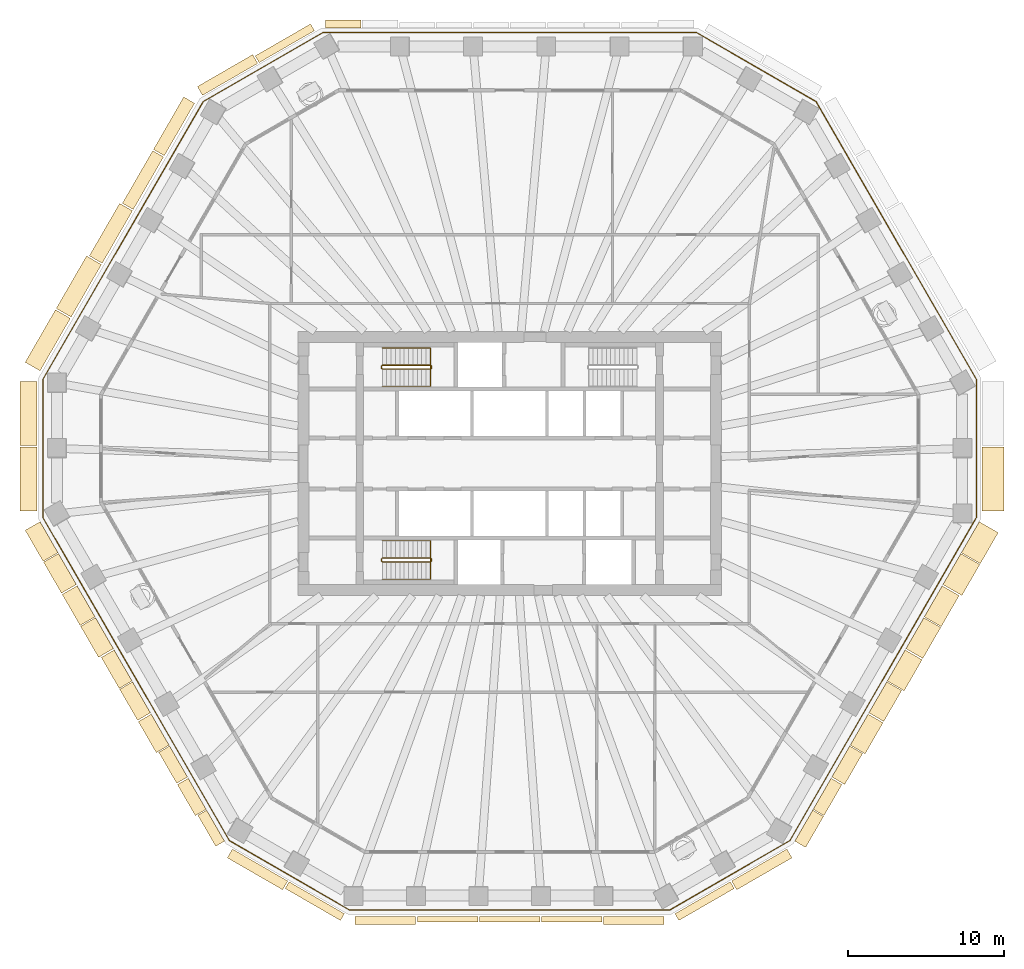
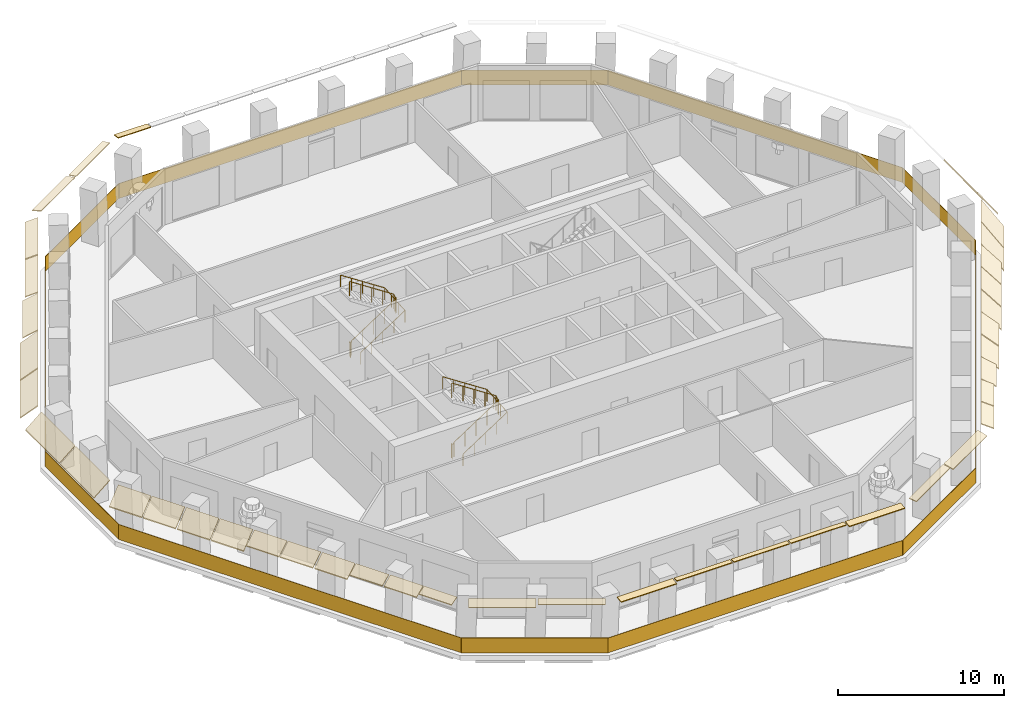
# One storey, part 9 of 12: 40 coverings, 5 railings.
"""IFC4 building model written with IfcOpenShell, lengths in metres."""

from ifc_helpers import new_model, si_unit, direction, frame, origin, origin_2d, place, context, subcontext, project, spatial, polyline, rectangle, circle, outline, extrude, material, layer, layer_set, type_object, element, save


model = new_model("IFC4")

# Units and contexts
model_context = context("Model", 3, precision=1e-05, world=origin(), true_north=direction((0.0, 1.0)))
body_context = subcontext(model_context, "Body", "Model", "MODEL_VIEW")
ifc_project = project(units=[si_unit("LENGTHUNIT", "METRE"), si_unit("AREAUNIT", "SQUARE_METRE"), si_unit("VOLUMEUNIT", "CUBIC_METRE"), si_unit("PLANEANGLEUNIT", "RADIAN"), si_unit("MASSUNIT", "GRAM", prefix="KILO")], contexts=[model_context])

# Site, building, storey
site_placement = place(None, origin())
site = spatial("IfcSite", under=ifc_project, at=site_placement, CompositionType="ELEMENT")
building_placement = place(site_placement, origin())
building = spatial("IfcBuilding", under=site, at=building_placement, Name="Frailejon Research Tower", CompositionType="ELEMENT")
storey_placement = place(building_placement, frame((0.0, 0.0, 176.0)))
storey = spatial("IfcBuildingStorey", under=building, at=storey_placement, Name="L38", CompositionType="ELEMENT", Elevation=176.0)

# Coverings
ifc_material_1 = material(Name="Precast concrete C50/60", Category="concrete")
ifc_layer_1 = layer(ifc_material_1, 0.06005859375)
ifc_layer_set_1 = layer_set([ifc_layer_1], Name="Brim blade depth 1100")
covering_type_1 = type_object("IfcCoveringType", Name="Brim blade depth 1100", PredefinedType="CLADDING", material=ifc_layer_set_1)
for number, where, z_axis, x_axis, name in (
    (1, (-28.077392578125, 9.380859375, 4.25), (0.499996015972, 0.866027703952, 0.0), (-0.866027703952, 0.499996015972, 0.0), "Brim blade L38"),
    (2, (-30.065673828125, 5.93701171875, 4.25), (0.500014877162, 0.866016814281, 0.0), (-0.866016814281, 0.500014877162, 0.0), "Brim blade L38"),
):
    element("IfcCovering", number, at=place(storey_placement, frame(where, z_axis=z_axis, x_axis=x_axis)), inside=storey, type_object=covering_type_1, Name=name, PredefinedType="CLADDING", context=body_context, shape_type="SweptSolid", body=[
        extrude(outline(polyline([(0.0, -0.078369140625), (1.10009765625, -1.001220703125), (1.10009765625, -0.923095703125), (0.0, 0.0), (0.0, -0.078369140625)])), origin(), (0.0, 0.0, 1.0), 3.87646484375),
    ])
for number, where, z_axis, x_axis, name in (
    (3, (-30.25146484375, 1.15625, 4.25), (0.0, 1.0, 0.0), (-1.0, 0.0, 0.0), "Brim blade L38"),
    (4, (-30.25146484375, -3.031494140625, 4.25), (0.0, 1.0, 0.0), (-1.0, 0.0, 0.0), "Brim blade L38"),
):
    element("IfcCovering", number, at=place(storey_placement, frame(where, z_axis=z_axis, x_axis=x_axis)), inside=storey, type_object=covering_type_1, Name=name, PredefinedType="CLADDING", context=body_context, shape_type="SweptSolid", body=[
        extrude(outline(polyline([(0.0, -0.078369140625), (1.10009765625, -1.001220703125), (1.10009765625, -0.923095703125), (0.0, 0.0), (0.0, -0.078369140625)])), origin(), (0.0, 0.0, 1.0), 4.087646484375),
    ])
for number, where, z_axis, x_axis, name in (
    (5, (-28.919921875, -5.708984375, 4.25), (-0.500014469725, 0.866017049524, 0.0), (-0.866017049524, -0.500014469725, 0.0), "Brim blade L38"),
    (6, (-27.744140625, -7.74560546875, 4.25), (-0.500014469725, 0.866017049524, 0.0), (-0.866017049524, -0.500014469725, 0.0), "Brim blade L38"),
    (7, (-26.548583984375, -9.816650390625, 4.25), (-0.499989527125, 0.866031450217, 0.0), (-0.866031450217, -0.499989527125, 0.0), "Brim blade L38"),
    (8, (-25.372802734375, -11.85302734375, 4.25), (-0.499989527125, 0.866031450217, 0.0), (-0.866031450217, -0.499989527125, 0.0), "Brim blade L38"),
    (9, (22.951416015625, -16.047119140625, 4.25), (-0.500005339875, -0.866022320784, 0.0), (0.866022320784, -0.500005339875, 0.0), "Brim blade L38"),
    (10, (24.147216796875, -13.97607421875, 4.25), (-0.499998657071, -0.866026179123, 0.0), (0.866026179123, -0.499998657071, 0.0), "Brim blade L38"),
):
    element("IfcCovering", number, at=place(storey_placement, frame(where, z_axis=z_axis, x_axis=x_axis)), inside=storey, type_object=covering_type_1, Name=name, PredefinedType="CLADDING", context=body_context, shape_type="SweptSolid", body=[
        extrude(outline(polyline([(0.0, -0.078369140625), (1.10009765625, -1.001220703125), (1.10009765625, -0.923095703125), (0.0, 0.0), (0.0, -0.078369140625)])), origin(), (0.0, 0.0, 1.0), 2.29150390625),
    ])
ifc_material_2 = material(Name="Precast concrete C50/60", Category="concrete")
ifc_layer_2 = layer(ifc_material_2, 0.06005859375)
ifc_layer_set_2 = layer_set([ifc_layer_2], Name="Brim blade depth 1250")
covering_type_2 = type_object("IfcCoveringType", Name="Brim blade depth 1250", PredefinedType="CLADDING", material=ifc_layer_set_2)
for number, where, z_axis, x_axis, name in (
    (11, (25.32275390625, -11.939697265625, 4.25), (-0.499998657071, -0.866026179123, 0.0), (0.866026179123, -0.499998657071, 0.0), "Brim blade L38"),
    (12, (26.5185546875, -9.868408203125, 4.25), (-0.499989527125, -0.866031450217, 0.0), (0.866031450217, -0.499989527125, 0.0), "Brim blade L38"),
    (13, (27.694091796875, -7.83203125, 4.25), (-0.499989527125, -0.866031450217, 0.0), (0.866031450217, -0.499989527125, 0.0), "Brim blade L38"),
):
    element("IfcCovering", number, at=place(storey_placement, frame(where, z_axis=z_axis, x_axis=x_axis)), inside=storey, type_object=covering_type_2, Name=name, PredefinedType="CLADDING", context=body_context, shape_type="SweptSolid", body=[
        extrude(outline(polyline([(0.0, -0.0888671875), (1.25, -1.452880859375), (1.25, -1.364013671875), (0.0, 0.0), (0.0, -0.0888671875)])), origin(), (0.0, 0.0, 1.0), 2.29150390625),
    ])
ifc_material_3 = material(Name="Precast concrete C50/60", Category="concrete")
ifc_layer_3 = layer(ifc_material_3, 0.06005859375)
ifc_layer_set_3 = layer_set([ifc_layer_3], Name="Brim blade depth 1400")
covering_type_3 = type_object("IfcCoveringType", Name="Brim blade depth 1400", PredefinedType="CLADDING", material=ifc_layer_set_3)
covering_1_placement = place(storey_placement, frame((30.25146484375, 1.05615234375, 4.25), z_axis=(0.0, -1.0, 0.0), x_axis=(1.0, 0.0, 0.0)))
element("IfcCovering", 14, at=covering_1_placement, inside=storey, type_object=covering_type_3, Name="Brim blade L38", PredefinedType="CLADDING", context=body_context, shape_type="SweptSolid", body=[
    extrude(outline(polyline([(0.0, -0.1044921875), (1.39990234375, -2.10400390625), (1.39990234375, -1.99951171875), (0.0, 0.0), (0.0, -0.1044921875)])), origin(), (0.0, 0.0, 1.0), 4.087646484375),
])
for number, where, z_axis, x_axis, name in (
    (15, (28.889892578125, -5.760986328125, 4.25), (-0.500014469725, -0.866017049524, 0.0), (0.866017049524, -0.500014469725, 0.0), "Brim blade L38"),
    (16, (30.065673828125, -3.724609375, 4.25), (-0.500014469725, -0.866017049524, 0.0), (0.866017049524, -0.500014469725, 0.0), "Brim blade L38"),
):
    element("IfcCovering", number, at=place(storey_placement, frame(where, z_axis=z_axis, x_axis=x_axis)), inside=storey, type_object=covering_type_3, Name=name, PredefinedType="CLADDING", context=body_context, shape_type="SweptSolid", body=[
        extrude(outline(polyline([(0.0, -0.1044921875), (1.39990234375, -2.10400390625), (1.39990234375, -1.99951171875), (0.0, 0.0), (0.0, -0.1044921875)])), origin(), (0.0, 0.0, 1.0), 2.29150390625),
    ])
ifc_material_4 = material(Name="Precast concrete C50/60", Category="concrete")
ifc_layer_4 = layer(ifc_material_4, 0.06005859375)
ifc_layer_set_4 = layer_set([ifc_layer_4], Name="Brim blade depth 350")
covering_type_4 = type_object("IfcCoveringType", Name="Brim blade depth 350", PredefinedType="CLADDING", material=ifc_layer_set_4)
for number, where, z_axis, x_axis, name in (
    (17, (-2.0380859375, -29.006103515625, 4.25), (-1.0, 0.0, 0.0), (0.0, -1.0, 0.0), "Brim blade L38"),
    (18, (1.938232421875, -29.006103515625, 4.25), (-1.0, 0.0, 0.0), (0.0, -1.0, 0.0), "Brim blade L38"),
    (19, (5.914794921875, -29.006103515625, 4.25), (-1.0, 0.0, 0.0), (0.0, -1.0, 0.0), "Brim blade L38"),
):
    element("IfcCovering", number, at=place(storey_placement, frame(where, z_axis=z_axis, x_axis=x_axis)), inside=storey, type_object=covering_type_4, Name=name, PredefinedType="CLADDING", context=body_context, shape_type="SweptSolid", body=[
        extrude(outline(polyline([(0.0, -0.06005859375), (0.35009765625, -0.06005859375), (0.35009765625, 0.0), (0.0, 0.0), (0.0, -0.06005859375)])), origin(), (0.0, 0.0, 1.0), 3.87646484375),
    ])
ifc_material_5 = material(Name="Precast concrete C50/60", Category="concrete")
ifc_layer_5 = layer(ifc_material_5, 0.06005859375)
ifc_layer_set_5 = layer_set([ifc_layer_5], Name="Brim blade depth 500")
covering_type_5 = type_object("IfcCoveringType", Name="Brim blade depth 500", PredefinedType="CLADDING", material=ifc_layer_set_5)
covering_2_placement = place(storey_placement, frame((-11.80712890625, 27.89990234375, 4.25), z_axis=(1.0, 0.0, 0.0), x_axis=(0.0, 1.0, 0.0)))
element("IfcCovering", 20, at=covering_2_placement, inside=storey, type_object=covering_type_5, Name="Brim blade L38", PredefinedType="CLADDING", context=body_context, shape_type="SweptSolid", body=[
    extrude(outline(polyline([(0.0, -0.060546875), (0.5, -0.130859375), (0.5, -0.0703125), (0.0, 0.0), (0.0, -0.060546875)])), origin(), (0.0, 0.0, 1.0), 2.29150390625),
])
for number, where, z_axis, x_axis, name in (
    (21, (-16.040283203125, 25.67041015625, 4.25), (0.866021344981, 0.500007029989, 0.0), (-0.500007029989, 0.866021344981, 0.0), "Brim blade L38"),
    (22, (-10.58447265625, -28.8203125, 4.25), (-0.866021344981, 0.500007029989, 0.0), (-0.500007029989, -0.866021344981, 0.0), "Brim blade L38"),
):
    element("IfcCovering", number, at=place(storey_placement, frame(where, z_axis=z_axis, x_axis=x_axis)), inside=storey, type_object=covering_type_5, Name=name, PredefinedType="CLADDING", context=body_context, shape_type="SweptSolid", body=[
        extrude(outline(polyline([(0.0, -0.060546875), (0.5, -0.130859375), (0.5, -0.0703125), (0.0, 0.0), (0.0, -0.060546875)])), origin(), (0.0, 0.0, 1.0), 4.08740234375),
    ])
for number, where, z_axis, x_axis, name in (
    (23, (-6.0146484375, -29.006103515625, 4.25), (-1.0, 0.0, 0.0), (0.0, -1.0, 0.0), "Brim blade L38"),
    (24, (9.89111328125, -29.006103515625, 4.25), (-1.0, 0.0, 0.0), (0.0, -1.0, 0.0), "Brim blade L38"),
):
    element("IfcCovering", number, at=place(storey_placement, frame(where, z_axis=z_axis, x_axis=x_axis)), inside=storey, type_object=covering_type_5, Name=name, PredefinedType="CLADDING", context=body_context, shape_type="SweptSolid", body=[
        extrude(outline(polyline([(0.0, -0.060546875), (0.5, -0.130859375), (0.5, -0.0703125), (0.0, 0.0), (0.0, -0.060546875)])), origin(), (0.0, 0.0, 1.0), 3.87646484375),
    ])
covering_3_placement = place(storey_placement, frame((14.12451171875, -26.776611328125, 4.25), z_axis=(-0.866021344981, -0.500007029989, 0.0), x_axis=(0.500007029989, -0.866021344981, 0.0)))
element("IfcCovering", 25, at=covering_3_placement, inside=storey, type_object=covering_type_5, Name="Brim blade L38", PredefinedType="CLADDING", context=body_context, shape_type="SweptSolid", body=[
    extrude(outline(polyline([(0.0, -0.060546875), (0.5, -0.130859375), (0.5, -0.0703125), (0.0, 0.0), (0.0, -0.060546875)])), origin(), (0.0, 0.0, 1.0), 4.08740234375),
])
ifc_material_6 = material(Name="Precast concrete C50/60", Category="concrete")
ifc_layer_6 = layer(ifc_material_6, 0.06005859375)
ifc_layer_set_6 = layer_set([ifc_layer_6], Name="Brim blade depth 650")
covering_type_6 = type_object("IfcCoveringType", Name="Brim blade depth 650", PredefinedType="CLADDING", material=ifc_layer_set_6)
covering_4_placement = place(storey_placement, frame((-19.6669921875, 23.57666015625, 4.25), z_axis=(0.866027315287, 0.499996689166, 0.0), x_axis=(-0.499996689166, 0.866027315287, 0.0)))
element("IfcCovering", 26, at=covering_4_placement, inside=storey, type_object=covering_type_6, Name="Brim blade L38", PredefinedType="CLADDING", context=body_context, shape_type="SweptSolid", body=[
    extrude(outline(polyline([(0.0, -0.0625), (0.64990234375, -0.248779296875), (0.64990234375, -0.186279296875), (0.0, 0.0), (0.0, -0.0625)])), origin(), (0.0, 0.0, 1.0), 4.087646484375),
])
covering_5_placement = place(storey_placement, frame((-18.258544921875, -24.17529296875, 4.25), z_axis=(-0.499998657071, 0.866026179123, 0.0), x_axis=(-0.866026179123, -0.499998657071, 0.0)))
element("IfcCovering", 27, at=covering_5_placement, inside=storey, type_object=covering_type_6, Name="Brim blade L38", PredefinedType="CLADDING", context=body_context, shape_type="SweptSolid", body=[
    extrude(outline(polyline([(0.0, -0.0625), (0.64990234375, -0.248779296875), (0.64990234375, -0.186279296875), (0.0, 0.0), (0.0, -0.0625)])), origin(), (0.0, 0.0, 1.0), 2.29150390625),
])
for number, where, z_axis, x_axis, name in (
    (28, (-14.2109375, -26.7265625, 4.25), (-0.866027315287, 0.499996689166, 0.0), (-0.499996689166, -0.866027315287, 0.0), "Brim blade L38"),
    (29, (17.7509765625, -24.682861328125, 4.25), (-0.866027315287, -0.499996689166, 0.0), (0.499996689166, -0.866027315287, 0.0), "Brim blade L38"),
):
    element("IfcCovering", number, at=place(storey_placement, frame(where, z_axis=z_axis, x_axis=x_axis)), inside=storey, type_object=covering_type_6, Name=name, PredefinedType="CLADDING", context=body_context, shape_type="SweptSolid", body=[
        extrude(outline(polyline([(0.0, -0.0625), (0.64990234375, -0.248779296875), (0.64990234375, -0.186279296875), (0.0, 0.0), (0.0, -0.0625)])), origin(), (0.0, 0.0, 1.0), 4.087646484375),
    ])
ifc_material_7 = material(Name="Precast concrete C50/60", Category="concrete")
ifc_layer_7 = layer(ifc_material_7, 0.06005859375)
ifc_layer_set_7 = layer_set([ifc_layer_7], Name="Brim blade depth 800")
covering_type_7 = type_object("IfcCoveringType", Name="Brim blade depth 800", PredefinedType="CLADDING", material=ifc_layer_set_7)
for number, where, z_axis, x_axis, name in (
    (30, (-22.11279296875, 19.7119140625, 4.25), (0.499996015972, 0.866027703952, 0.0), (-0.866027703952, 0.499996015972, 0.0), "Brim blade L38"),
    (31, (-24.10107421875, 16.268310546875, 4.25), (0.500014877162, 0.866016814281, 0.0), (-0.866016814281, 0.500014877162, 0.0), "Brim blade L38"),
):
    element("IfcCovering", number, at=place(storey_placement, frame(where, z_axis=z_axis, x_axis=x_axis)), inside=storey, type_object=covering_type_7, Name=name, PredefinedType="CLADDING", context=body_context, shape_type="SweptSolid", body=[
        extrude(outline(polyline([(0.0, -0.065673828125), (0.800048828125, -0.421875), (0.800048828125, -0.356201171875), (0.0, 0.0), (0.0, -0.065673828125)])), origin(), (0.0, 0.0, 1.0), 3.87646484375),
    ])
for number, where, z_axis, x_axis, name in (
    (32, (-20.6298828125, -20.06787109375, 4.25), (-0.500005339875, 0.866022320784, 0.0), (-0.866022320784, -0.500005339875, 0.0), "Brim blade L38"),
    (33, (-19.43408203125, -22.138916015625, 4.25), (-0.499998657071, 0.866026179123, 0.0), (-0.866026179123, -0.499998657071, 0.0), "Brim blade L38"),
    (34, (19.404296875, -22.19091796875, 4.25), (-0.499998657071, -0.866026179123, 0.0), (0.866026179123, -0.499998657071, 0.0), "Brim blade L38"),
    (35, (20.579833984375, -20.154541015625, 4.25), (-0.499998657071, -0.866026179123, 0.0), (0.866026179123, -0.499998657071, 0.0), "Brim blade L38"),
):
    element("IfcCovering", number, at=place(storey_placement, frame(where, z_axis=z_axis, x_axis=x_axis)), inside=storey, type_object=covering_type_7, Name=name, PredefinedType="CLADDING", context=body_context, shape_type="SweptSolid", body=[
        extrude(outline(polyline([(0.0, -0.065673828125), (0.800048828125, -0.421875), (0.800048828125, -0.356201171875), (0.0, 0.0), (0.0, -0.065673828125)])), origin(), (0.0, 0.0, 1.0), 2.29150390625),
    ])
ifc_material_8 = material(Name="Precast concrete C50/60", Category="concrete")
ifc_layer_8 = layer(ifc_material_8, 0.06005859375)
ifc_layer_set_8 = layer_set([ifc_layer_8], Name="Brim blade depth 950")
covering_type_8 = type_object("IfcCoveringType", Name="Brim blade depth 950", PredefinedType="CLADDING", material=ifc_layer_set_8)
covering_6_placement = place(storey_placement, frame((-26.089111328125, 12.824462890625, 4.25), z_axis=(0.499985126803, 0.866033990659, 0.0), x_axis=(-0.866033990659, 0.499985126803, 0.0)))
element("IfcCovering", 36, at=covering_6_placement, inside=storey, type_object=covering_type_8, Name="Brim blade L38", PredefinedType="CLADDING", context=body_context, shape_type="SweptSolid", body=[
    extrude(outline(polyline([(0.0, -0.07080078125), (0.949951171875, -0.664306640625), (0.949951171875, -0.593505859375), (0.0, 0.0), (0.0, -0.07080078125)])), origin(), (0.0, 0.0, 1.0), 3.87646484375),
])
for number, where, z_axis, x_axis, name in (
    (37, (-24.177001953125, -13.924072265625, 4.25), (-0.499998657071, 0.866026179123, 0.0), (-0.866026179123, -0.499998657071, 0.0), "Brim blade L38"),
    (38, (-23.00146484375, -15.96044921875, 4.25), (-0.499998657071, 0.866026179123, 0.0), (-0.866026179123, -0.499998657071, 0.0), "Brim blade L38"),
    (39, (-21.8056640625, -18.031494140625, 4.25), (-0.500005339875, 0.866022320784, 0.0), (-0.866022320784, -0.500005339875, 0.0), "Brim blade L38"),
    (40, (21.775634765625, -18.08349609375, 4.25), (-0.500005339875, -0.866022320784, 0.0), (0.866022320784, -0.500005339875, 0.0), "Brim blade L38"),
):
    element("IfcCovering", number, at=place(storey_placement, frame(where, z_axis=z_axis, x_axis=x_axis)), inside=storey, type_object=covering_type_8, Name=name, PredefinedType="CLADDING", context=body_context, shape_type="SweptSolid", body=[
        extrude(outline(polyline([(0.0, -0.07080078125), (0.949951171875, -0.664306640625), (0.949951171875, -0.593505859375), (0.0, 0.0), (0.0, -0.07080078125)])), origin(), (0.0, 0.0, 1.0), 2.29150390625),
    ])

# Railings
ifc_material_9 = material(Name="Laminated glass balustrade", Category="glass")
railing_type_1 = type_object("IfcRailingType", Name="Glass guard 1100", PredefinedType="GUARDRAIL", material=ifc_material_9)
railing_1_placement = place(storey_placement, frame((29.88037109375, -3.463134765625, 0.0)))
element("IfcRailing", 41, at=railing_1_placement, inside=storey, type_object=railing_type_1, Name="Loggia guard L38", PredefinedType="GUARDRAIL", context=body_context, shape_type="SweptSolid", body=[
    extrude(rectangle(XDim=8.862060546875, YDim=0.030029296875, at=origin_2d()), frame((0.0, 4.43115234375, 0.0), z_axis=(0.0, 0.0, 1.0), x_axis=(0.0, 1.0, 0.0)), (0.0, 0.0, 1.0), 1.10009765625),
    extrude(rectangle(XDim=20.529052734375, YDim=0.030029296875, at=origin_2d()), frame((-5.13232421875, 17.75146484375, 0.0), z_axis=(0.0, 0.0, 1.0), x_axis=(-0.500006921823, 0.866021407431, 0.0)), (0.0, 0.0, 1.0), 1.10009765625),
    extrude(rectangle(XDim=8.862060546875, YDim=0.030029296875, at=origin_2d()), frame((-14.10205078125, 28.856201171875, 0.0), z_axis=(0.0, 0.0, 1.0), x_axis=(-0.86602043012, 0.50000861454, 0.0)), (0.0, 0.0, 1.0), 1.10009765625),
    extrude(rectangle(XDim=23.8818359375, YDim=0.030029296875, at=origin_2d()), frame((-29.88037109375, 31.07177734375, 0.0), z_axis=(0.0, 0.0, 1.0), x_axis=(-1.0, 0.0, 0.0)), (0.0, 0.0, 1.0), 1.10009765625),
    extrude(rectangle(XDim=8.862060546875, YDim=0.030029296875, at=origin_2d()), frame((-45.65869140625, 28.856201171875, 0.0), z_axis=(0.0, 0.0, 1.0), x_axis=(-0.86602043012, -0.50000861454, 0.0)), (0.0, 0.0, 1.0), 1.10009765625),
    extrude(rectangle(XDim=20.529052734375, YDim=0.030029296875, at=origin_2d()), frame((-54.62841796875, 17.75146484375, 0.0), z_axis=(0.0, 0.0, 1.0), x_axis=(-0.500006921823, -0.866021407431, 0.0)), (0.0, 0.0, 1.0), 1.10009765625),
    extrude(rectangle(XDim=8.862060546875, YDim=0.030029296875, at=origin_2d()), frame((-59.7607421875, 4.43115234375, 0.0), z_axis=(0.0, 0.0, 1.0), x_axis=(0.0, -1.0, 0.0)), (0.0, 0.0, 1.0), 1.10009765625),
    extrude(rectangle(XDim=23.882080078125, YDim=0.030029296875, at=origin_2d()), frame((-53.7900390625, -10.34130859375, 0.0), z_axis=(0.0, 0.0, 1.0), x_axis=(0.500005918555, -0.866021986678, 0.0)), (0.0, 0.0, 1.0), 1.10009765625),
    extrude(rectangle(XDim=8.862060546875, YDim=0.030029296875, at=origin_2d()), frame((-43.982177734375, -22.89794921875, 0.0), z_axis=(0.0, 0.0, 1.0), x_axis=(0.86602043012, -0.50000861454, 0.0)), (0.0, 0.0, 1.0), 1.10009765625),
    extrude(rectangle(XDim=20.52880859375, YDim=0.030029296875, at=origin_2d()), frame((-29.88037109375, -25.113525390625, 0.0), z_axis=(0.0, 0.0, 1.0), x_axis=(1.0, 0.0, 0.0)), (0.0, 0.0, 1.0), 1.10009765625),
    extrude(rectangle(XDim=8.862060546875, YDim=0.030029296875, at=origin_2d()), frame((-15.778564453125, -22.89794921875, 0.0), z_axis=(0.0, 0.0, 1.0), x_axis=(0.86602043012, 0.50000861454, 0.0)), (0.0, 0.0, 1.0), 1.10009765625),
    extrude(rectangle(XDim=23.81201171875, YDim=0.030029296875, at=origin_2d()), frame((-5.98828125, -10.37158203125, 0.0), z_axis=(0.0, 0.0, 1.0), x_axis=(0.499999652524, 0.8660256044, 0.0)), (0.0, 0.0, 1.0), 1.10009765625),
])
ifc_material_10 = material(Name="Stainless steel", Category="steel")
railing_type_2 = type_object("IfcRailingType", Name="Stair guard 1100", PredefinedType="GUARDRAIL", material=ifc_material_10)
railing_2_placement = place(storey_placement, frame((-8.199951171875, 6.25, 0.0)))
element("IfcRailing", 42, at=railing_2_placement, inside=storey, type_object=railing_type_2, Name="L38 ST1 stair guard 1", PredefinedType="GUARDRAIL", context=body_context, shape_type="SweptSolid", body=[
    extrude(circle(Radius=0.02392578125, at=origin_2d()), frame((0.0, 0.0, 1.076171875), z_axis=(0.0, -1.0, 0.0), x_axis=(1.0, 0.0, 0.0)), (0.0, 0.0, 1.0), 0.14990234375),
    extrude(circle(Radius=0.02392578125, at=origin_2d()), frame((0.0, -0.14990234375, 1.076171875), z_axis=(0.254653276557, -0.254653276557, 0.932900539971), x_axis=(0.707106781187, 0.707106781187, 0.0)), (0.0, 0.0, 1.0), 0.196533203125),
    extrude(circle(Radius=0.02392578125, at=origin_2d()), frame((0.050048828125, -0.199951171875, 1.25927734375), z_axis=(0.836613101238, 0.0, 0.547794230379), x_axis=(0.0, 1.0, 0.0)), (0.0, 0.0, 1.0), 3.681396484375),
    extrude(circle(Radius=0.02392578125, at=origin_2d()), frame((3.1298828125, -0.199951171875, 3.27587890625), z_axis=(0.707106781187, 0.707106781187, 0.0), x_axis=(-0.707106781187, 0.707106781187, 0.0)), (0.0, 0.0, 1.0), 0.07080078125),
    extrude(circle(Radius=0.02392578125, at=origin_2d()), frame((3.179931640625, -0.14990234375, 3.27587890625), z_axis=(0.0, 1.0, 0.0), x_axis=(-1.0, 0.0, 0.0)), (0.0, 0.0, 1.0), 0.14990234375),
    extrude(circle(Radius=0.02392578125, at=origin_2d()), frame((3.179931640625, 0.0, 3.27587890625), z_axis=(-0.254653276557, 0.254653276557, 0.932900539971), x_axis=(-0.707106781187, -0.707106781187, 0.0)), (0.0, 0.0, 1.0), 0.196533203125),
    extrude(circle(Radius=0.02392578125, at=origin_2d()), frame((3.1298828125, 0.050048828125, 3.45947265625), z_axis=(-0.836613101238, 0.0, 0.547794230379), x_axis=(0.0, -1.0, 0.0)), (0.0, 0.0, 1.0), 3.681396484375),
    extrude(circle(Radius=0.02099609375, at=origin_2d()), origin(), (0.0, 0.0, 1.0), 1.052001953125),
    extrude(circle(Radius=0.02099609375, at=origin_2d()), frame((0.0, -0.14990234375, 0.0)), (0.0, 0.0, 1.0), 1.052001953125),
    extrude(circle(Radius=0.02099609375, at=origin_2d()), frame((0.050048828125, -0.199951171875, 0.183349609375)), (0.0, 0.0, 1.0), 1.052001953125),
    extrude(circle(Radius=0.02099609375, at=origin_2d()), frame((0.820068359375, -0.199951171875, 0.6875)), (0.0, 0.0, 1.0), 1.052001953125),
    extrude(circle(Radius=0.02099609375, at=origin_2d()), frame((1.58984375, -0.199951171875, 1.191650390625)), (0.0, 0.0, 1.0), 1.052001953125),
    extrude(circle(Radius=0.02099609375, at=origin_2d()), frame((2.35986328125, -0.199951171875, 1.69580078125)), (0.0, 0.0, 1.0), 1.052001953125),
    extrude(circle(Radius=0.02099609375, at=origin_2d()), frame((3.1298828125, -0.199951171875, 2.199951171875)), (0.0, 0.0, 1.0), 1.052001953125),
    extrude(circle(Radius=0.02099609375, at=origin_2d()), frame((3.179931640625, -0.14990234375, 2.199951171875)), (0.0, 0.0, 1.0), 1.052001953125),
    extrude(circle(Radius=0.02099609375, at=origin_2d()), frame((3.179931640625, 0.0, 2.199951171875)), (0.0, 0.0, 1.0), 1.052001953125),
    extrude(circle(Radius=0.02099609375, at=origin_2d()), frame((3.1298828125, 0.050048828125, 2.38330078125)), (0.0, 0.0, 1.0), 1.052001953125),
    extrude(circle(Radius=0.02099609375, at=origin_2d()), frame((2.35986328125, 0.050048828125, 2.887451171875)), (0.0, 0.0, 1.0), 1.052001953125),
    extrude(circle(Radius=0.02099609375, at=origin_2d()), frame((1.58984375, 0.050048828125, 3.3916015625)), (0.0, 0.0, 1.0), 1.052001953125),
    extrude(circle(Radius=0.02099609375, at=origin_2d()), frame((0.820068359375, 0.050048828125, 3.895751953125)), (0.0, 0.0, 1.0), 1.052001953125),
    extrude(circle(Radius=0.02099609375, at=origin_2d()), frame((0.050048828125, 0.050048828125, 4.39990234375)), (0.0, 0.0, 1.0), 1.052001953125),
])
railing_3_placement = place(storey_placement, frame((-8.199951171875, -6.10009765625, 0.0)))
element("IfcRailing", 43, at=railing_3_placement, inside=storey, type_object=railing_type_2, Name="L38 ST2 stair guard 1", PredefinedType="GUARDRAIL", context=body_context, shape_type="SweptSolid", body=[
    extrude(circle(Radius=0.02392578125, at=origin_2d()), frame((0.0, 0.0, 1.076171875), z_axis=(0.0, -1.0, 0.0), x_axis=(1.0, 0.0, 0.0)), (0.0, 0.0, 1.0), 0.14990234375),
    extrude(circle(Radius=0.02392578125, at=origin_2d()), frame((0.0, -0.14990234375, 1.076171875), z_axis=(0.254653276557, -0.254653276557, 0.932900539971), x_axis=(0.707106781187, 0.707106781187, 0.0)), (0.0, 0.0, 1.0), 0.196533203125),
    extrude(circle(Radius=0.02392578125, at=origin_2d()), frame((0.050048828125, -0.199951171875, 1.25927734375), z_axis=(0.836613101238, 0.0, 0.547794230379), x_axis=(0.0, 1.0, 0.0)), (0.0, 0.0, 1.0), 3.681396484375),
    extrude(circle(Radius=0.02392578125, at=origin_2d()), frame((3.1298828125, -0.199951171875, 3.27587890625), z_axis=(0.707106781187, 0.707106781187, 0.0), x_axis=(-0.707106781187, 0.707106781187, 0.0)), (0.0, 0.0, 1.0), 0.07080078125),
    extrude(circle(Radius=0.02392578125, at=origin_2d()), frame((3.179931640625, -0.14990234375, 3.27587890625), z_axis=(0.0, 1.0, 0.0), x_axis=(-1.0, 0.0, 0.0)), (0.0, 0.0, 1.0), 0.14990234375),
    extrude(circle(Radius=0.02392578125, at=origin_2d()), frame((3.179931640625, 0.0, 3.27587890625), z_axis=(-0.254653276557, 0.254653276557, 0.932900539971), x_axis=(-0.707106781187, -0.707106781187, 0.0)), (0.0, 0.0, 1.0), 0.196533203125),
    extrude(circle(Radius=0.02392578125, at=origin_2d()), frame((3.1298828125, 0.050048828125, 3.45947265625), z_axis=(-0.836613101238, 0.0, 0.547794230379), x_axis=(0.0, -1.0, 0.0)), (0.0, 0.0, 1.0), 3.681396484375),
    extrude(circle(Radius=0.02099609375, at=origin_2d()), origin(), (0.0, 0.0, 1.0), 1.052001953125),
    extrude(circle(Radius=0.02099609375, at=origin_2d()), frame((0.0, -0.14990234375, 0.0)), (0.0, 0.0, 1.0), 1.052001953125),
    extrude(circle(Radius=0.02099609375, at=origin_2d()), frame((0.050048828125, -0.199951171875, 0.183349609375)), (0.0, 0.0, 1.0), 1.052001953125),
    extrude(circle(Radius=0.02099609375, at=origin_2d()), frame((0.820068359375, -0.199951171875, 0.6875)), (0.0, 0.0, 1.0), 1.052001953125),
    extrude(circle(Radius=0.02099609375, at=origin_2d()), frame((1.58984375, -0.199951171875, 1.191650390625)), (0.0, 0.0, 1.0), 1.052001953125),
    extrude(circle(Radius=0.02099609375, at=origin_2d()), frame((2.35986328125, -0.199951171875, 1.69580078125)), (0.0, 0.0, 1.0), 1.052001953125),
    extrude(circle(Radius=0.02099609375, at=origin_2d()), frame((3.1298828125, -0.199951171875, 2.199951171875)), (0.0, 0.0, 1.0), 1.052001953125),
    extrude(circle(Radius=0.02099609375, at=origin_2d()), frame((3.179931640625, -0.14990234375, 2.199951171875)), (0.0, 0.0, 1.0), 1.052001953125),
    extrude(circle(Radius=0.02099609375, at=origin_2d()), frame((3.179931640625, 0.0, 2.199951171875)), (0.0, 0.0, 1.0), 1.052001953125),
    extrude(circle(Radius=0.02099609375, at=origin_2d()), frame((3.1298828125, 0.050048828125, 2.38330078125)), (0.0, 0.0, 1.0), 1.052001953125),
    extrude(circle(Radius=0.02099609375, at=origin_2d()), frame((2.35986328125, 0.050048828125, 2.887451171875)), (0.0, 0.0, 1.0), 1.052001953125),
    extrude(circle(Radius=0.02099609375, at=origin_2d()), frame((1.58984375, 0.050048828125, 3.3916015625)), (0.0, 0.0, 1.0), 1.052001953125),
    extrude(circle(Radius=0.02099609375, at=origin_2d()), frame((0.820068359375, 0.050048828125, 3.895751953125)), (0.0, 0.0, 1.0), 1.052001953125),
    extrude(circle(Radius=0.02099609375, at=origin_2d()), frame((0.050048828125, 0.050048828125, 4.39990234375)), (0.0, 0.0, 1.0), 1.052001953125),
])
ifc_material_11 = material(Name="Stainless steel", Category="steel")
railing_type_3 = type_object("IfcRailingType", Name="Stair handrail 900", PredefinedType="HANDRAIL", material=ifc_material_11)
railing_4_placement = place(storey_placement, frame((-8.14990234375, 4.949951171875, 0.183349609375)))
element("IfcRailing", 44, at=railing_4_placement, inside=storey, type_object=railing_type_3, Name="L38 ST1 stair handrail 1", PredefinedType="HANDRAIL", context=body_context, shape_type="SweptSolid", body=[
    extrude(circle(Radius=0.02392578125, at=origin_2d()), frame((0.0, 0.0, 0.8759765625), z_axis=(0.836613101238, 0.0, 0.547794230379), x_axis=(0.0, 1.0, 0.0)), (0.0, 0.0, 1.0), 3.681396484375),
    extrude(circle(Radius=0.02392578125, at=origin_2d()), frame((3.079833984375, 0.0, 2.892578125), z_axis=(0.0, 0.99721134034, 0.074629368868), x_axis=(-1.0, 0.0, 0.0)), (0.0, 0.0, 1.0), 2.456787109375),
    extrude(circle(Radius=0.02392578125, at=origin_2d()), frame((3.079833984375, 2.449951171875, 3.07568359375), z_axis=(-0.836613101238, 0.0, 0.547794230379), x_axis=(0.0, -1.0, 0.0)), (0.0, 0.0, 1.0), 3.681396484375),
    extrude(circle(Radius=0.02099609375, at=origin_2d()), origin(), (0.0, 0.0, 1.0), 0.851806640625),
    extrude(circle(Radius=0.02099609375, at=origin_2d()), frame((0.77001953125, 0.0, 0.504150390625)), (0.0, 0.0, 1.0), 0.851806640625),
    extrude(circle(Radius=0.02099609375, at=origin_2d()), frame((1.5400390625, 0.0, 1.00830078125)), (0.0, 0.0, 1.0), 0.851806640625),
    extrude(circle(Radius=0.02099609375, at=origin_2d()), frame((2.309814453125, 0.0, 1.512451171875)), (0.0, 0.0, 1.0), 0.851806640625),
    extrude(circle(Radius=0.02099609375, at=origin_2d()), frame((3.079833984375, 0.0, 2.0166015625)), (0.0, 0.0, 1.0), 0.851806640625),
    extrude(circle(Radius=0.02099609375, at=origin_2d()), frame((3.079833984375, 0.816650390625, 2.07763671875)), (0.0, 0.0, 1.0), 0.851806640625),
    extrude(circle(Radius=0.02099609375, at=origin_2d()), frame((3.079833984375, 1.63330078125, 2.138916015625)), (0.0, 0.0, 1.0), 0.851806640625),
    extrude(circle(Radius=0.02099609375, at=origin_2d()), frame((3.079833984375, 2.449951171875, 2.199951171875)), (0.0, 0.0, 1.0), 0.851806640625),
    extrude(circle(Radius=0.02099609375, at=origin_2d()), frame((2.309814453125, 2.449951171875, 2.7041015625)), (0.0, 0.0, 1.0), 0.851806640625),
    extrude(circle(Radius=0.02099609375, at=origin_2d()), frame((1.5400390625, 2.449951171875, 3.208251953125)), (0.0, 0.0, 1.0), 0.851806640625),
    extrude(circle(Radius=0.02099609375, at=origin_2d()), frame((0.77001953125, 2.449951171875, 3.71240234375)), (0.0, 0.0, 1.0), 0.851806640625),
    extrude(circle(Radius=0.02099609375, at=origin_2d()), frame((0.0, 2.449951171875, 4.216552734375)), (0.0, 0.0, 1.0), 0.851806640625),
])
railing_5_placement = place(storey_placement, frame((-8.14990234375, -7.39990234375, 0.183349609375)))
element("IfcRailing", 45, at=railing_5_placement, inside=storey, type_object=railing_type_3, Name="L38 ST2 stair handrail 1", PredefinedType="HANDRAIL", context=body_context, shape_type="SweptSolid", body=[
    extrude(circle(Radius=0.02392578125, at=origin_2d()), frame((0.0, 0.0, 0.8759765625), z_axis=(0.836613101238, 0.0, 0.547794230379), x_axis=(0.0, 1.0, 0.0)), (0.0, 0.0, 1.0), 3.681396484375),
    extrude(circle(Radius=0.02392578125, at=origin_2d()), frame((3.079833984375, 0.0, 2.892578125), z_axis=(0.0, 0.99721134034, 0.074629368868), x_axis=(-1.0, 0.0, 0.0)), (0.0, 0.0, 1.0), 2.456787109375),
    extrude(circle(Radius=0.02392578125, at=origin_2d()), frame((3.079833984375, 2.449951171875, 3.07568359375), z_axis=(-0.836613101238, 0.0, 0.547794230379), x_axis=(0.0, -1.0, 0.0)), (0.0, 0.0, 1.0), 3.681396484375),
    extrude(circle(Radius=0.02099609375, at=origin_2d()), origin(), (0.0, 0.0, 1.0), 0.851806640625),
    extrude(circle(Radius=0.02099609375, at=origin_2d()), frame((0.77001953125, 0.0, 0.504150390625)), (0.0, 0.0, 1.0), 0.851806640625),
    extrude(circle(Radius=0.02099609375, at=origin_2d()), frame((1.5400390625, 0.0, 1.00830078125)), (0.0, 0.0, 1.0), 0.851806640625),
    extrude(circle(Radius=0.02099609375, at=origin_2d()), frame((2.309814453125, 0.0, 1.512451171875)), (0.0, 0.0, 1.0), 0.851806640625),
    extrude(circle(Radius=0.02099609375, at=origin_2d()), frame((3.079833984375, 0.0, 2.0166015625)), (0.0, 0.0, 1.0), 0.851806640625),
    extrude(circle(Radius=0.02099609375, at=origin_2d()), frame((3.079833984375, 0.816650390625, 2.07763671875)), (0.0, 0.0, 1.0), 0.851806640625),
    extrude(circle(Radius=0.02099609375, at=origin_2d()), frame((3.079833984375, 1.63330078125, 2.138916015625)), (0.0, 0.0, 1.0), 0.851806640625),
    extrude(circle(Radius=0.02099609375, at=origin_2d()), frame((3.079833984375, 2.449951171875, 2.199951171875)), (0.0, 0.0, 1.0), 0.851806640625),
    extrude(circle(Radius=0.02099609375, at=origin_2d()), frame((2.309814453125, 2.449951171875, 2.7041015625)), (0.0, 0.0, 1.0), 0.851806640625),
    extrude(circle(Radius=0.02099609375, at=origin_2d()), frame((1.5400390625, 2.449951171875, 3.208251953125)), (0.0, 0.0, 1.0), 0.851806640625),
    extrude(circle(Radius=0.02099609375, at=origin_2d()), frame((0.77001953125, 2.449951171875, 3.71240234375)), (0.0, 0.0, 1.0), 0.851806640625),
    extrude(circle(Radius=0.02099609375, at=origin_2d()), frame((0.0, 2.449951171875, 4.216552734375)), (0.0, 0.0, 1.0), 0.851806640625),
])

save(model, "model.ifc")
